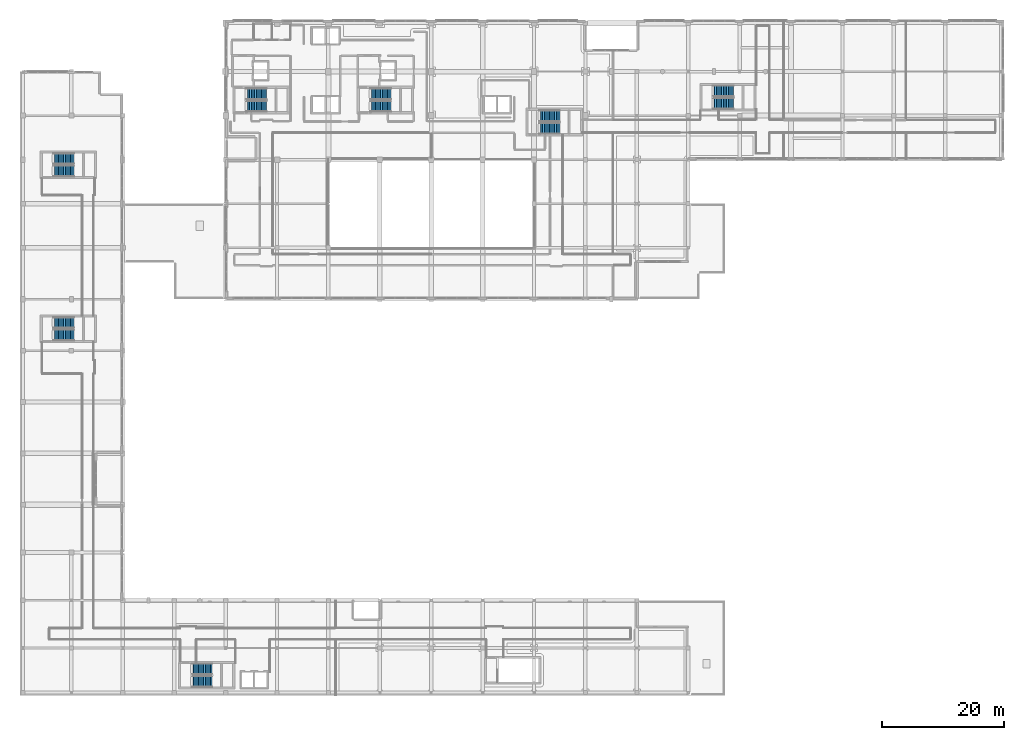
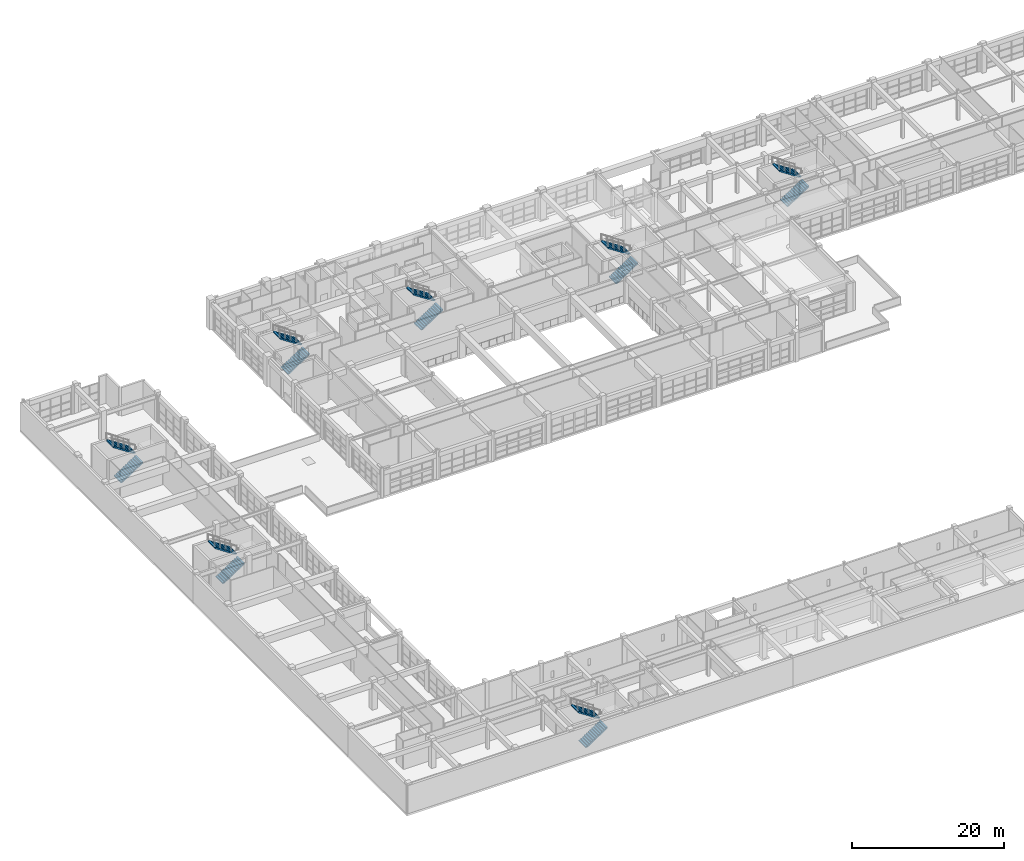
# One storey, part 112 of 123: 14 stair flights, 7 elements without a shape of their own.
"""IFC4 building model written with IfcOpenShell, lengths in metres."""

from ifc_helpers import new_model, si_unit, direction, frame, origin, place, context, subcontext, project, spatial, polyline, outline, extrude, material, type_object, element, aggregate, save


model = new_model("IFC4")

# Units and contexts
model_context = context("Model", 3, precision=1e-05, world=origin(), true_north=direction((0.0, 1.0)))
body_context = subcontext(model_context, "Body", "Model", "MODEL_VIEW")
ifc_project = project(units=[si_unit("LENGTHUNIT", "METRE"), si_unit("AREAUNIT", "SQUARE_METRE"), si_unit("VOLUMEUNIT", "CUBIC_METRE"), si_unit("PLANEANGLEUNIT", "RADIAN"), si_unit("MASSUNIT", "GRAM", prefix="KILO")], contexts=[model_context])

# Site, building, storey
site_placement = place(None, origin())
site = spatial("IfcSite", under=ifc_project, at=site_placement, CompositionType="ELEMENT")
building_placement = place(site_placement, origin())
building = spatial("IfcBuilding", under=site, at=building_placement, Name="Quendrovan Civic Courthouse", CompositionType="ELEMENT")
storey_placement = place(building_placement, frame((0.0, 0.0, 5.39990234375)))
storey = spatial("IfcBuildingStorey", under=building, at=storey_placement, Name="L02", CompositionType="ELEMENT", Elevation=5.39990234375)

# Stair, stair flights
ifc_material_1 = material(Name="Concrete C40/50", Category="concrete")
stair_type_1 = type_object("IfcStairType", Name="STR-CORE-4800", PredefinedType="HALF_TURN_STAIR", material=ifc_material_1)
stair_1_placement = place(storey_placement, origin())
stair_1 = element("IfcStair", 1, at=stair_1_placement, inside=storey, type_object=stair_type_1, Name="L02 West Judicial and Public Exit Stair 1", PredefinedType="HALF_TURN_STAIR")
stair_flight_type_1 = type_object("IfcStairFlightType", Name="FLT-CORE-4800", PredefinedType="STRAIGHT", material=ifc_material_1)
stair_flight_1_placement = place(storey_placement, frame((36.949951171875, 96.324951171875, 0.0), z_axis=(0.0, 0.0, 1.0), x_axis=(1.0, 0.0, 0.0)))
stair_flight_1 = element("IfcStairFlight", 2, at=stair_flight_1_placement, type_object=stair_flight_type_1, Name="ST1 flight 1", NumberOfRisers=13, NumberOfTreads=12, PredefinedType="STRAIGHT", RiserHeight=0.184615385, TreadLength=0.28, context=body_context, shape_type="SweptSolid", body=[
    extrude(outline(polyline([(0.0, 0.0), (0.0, 0.1845703125), (0.280029296875, 0.1845703125), (0.280029296875, 0.369140625), (0.56005859375, 0.369140625), (0.56005859375, 0.553955078125), (0.840087890625, 0.553955078125), (0.840087890625, 0.738525390625), (1.1201171875, 0.738525390625), (1.1201171875, 0.923095703125), (1.39990234375, 0.923095703125), (1.39990234375, 1.107666015625), (1.679931640625, 1.107666015625), (1.679931640625, 1.292236328125), (1.9599609375, 1.292236328125), (1.9599609375, 1.476806640625), (2.239990234375, 1.476806640625), (2.239990234375, 1.66162109375), (2.52001953125, 1.66162109375), (2.52001953125, 1.84619140625), (2.800048828125, 1.84619140625), (2.800048828125, 2.03076171875), (3.080078125, 2.03076171875), (3.080078125, 2.21533203125), (3.360107421875, 2.21533203125), (3.360107421875, 2.39990234375), (3.360107421875, 2.035888671875), (0.272216796875, 0.0), (0.0, 0.0)])), frame((0.0, 0.925048828125, 0.0), z_axis=(0.0, -1.0, 0.0), x_axis=(1.0, 0.0, 0.0)), (0.0, 0.0, 1.0), 1.85009765625),
])
stair_flight_2_placement = place(storey_placement, frame((40.31005859375, 98.35498046875, 2.400146484375), z_axis=(0.0, 0.0, 1.0), x_axis=(-1.0, 0.0, 0.0)))
stair_flight_2 = element("IfcStairFlight", 3, at=stair_flight_2_placement, type_object=stair_flight_type_1, Name="ST1 flight 2", NumberOfRisers=13, NumberOfTreads=12, PredefinedType="STRAIGHT", RiserHeight=0.184615385, TreadLength=0.28, context=body_context, shape_type="SweptSolid", body=[
    extrude(outline(polyline([(0.0, 0.0), (0.0, 0.1845703125), (0.280029296875, 0.1845703125), (0.280029296875, 0.369140625), (0.56005859375, 0.369140625), (0.56005859375, 0.553955078125), (0.840087890625, 0.553955078125), (0.840087890625, 0.738525390625), (1.1201171875, 0.738525390625), (1.1201171875, 0.923095703125), (1.39990234375, 0.923095703125), (1.39990234375, 1.107666015625), (1.679931640625, 1.107666015625), (1.679931640625, 1.292236328125), (1.9599609375, 1.292236328125), (1.9599609375, 1.476806640625), (2.239990234375, 1.476806640625), (2.239990234375, 1.66162109375), (2.52001953125, 1.66162109375), (2.52001953125, 1.84619140625), (2.800048828125, 1.84619140625), (2.800048828125, 2.03076171875), (3.080078125, 2.03076171875), (3.080078125, 2.21533203125), (3.360107421875, 2.21533203125), (3.360107421875, 2.39990234375), (3.360107421875, 2.035888671875), (0.272216796875, 0.0), (0.0, 0.0)])), frame((0.0, 0.925048828125, 0.0), z_axis=(0.0, -1.0, 0.0), x_axis=(1.0, 0.0, 0.0)), (0.0, 0.0, 1.0), 1.85009765625),
])
aggregate(stair_1, [stair_flight_1, stair_flight_2])

stair_2_placement = place(storey_placement, origin())
stair_2 = element("IfcStair", 4, at=stair_2_placement, inside=storey, type_object=stair_type_1, Name="L02 Central Judicial and Firefighting Exit Stair 2", PredefinedType="HALF_TURN_STAIR")
stair_flight_3_placement = place(storey_placement, frame((57.25, 96.324951171875, 0.0), z_axis=(0.0, 0.0, 1.0), x_axis=(1.0, 0.0, 0.0)))
stair_flight_3 = element("IfcStairFlight", 5, at=stair_flight_3_placement, type_object=stair_flight_type_1, Name="ST2 flight 1", NumberOfRisers=13, NumberOfTreads=12, PredefinedType="STRAIGHT", RiserHeight=0.184615385, TreadLength=0.28, context=body_context, shape_type="SweptSolid", body=[
    extrude(outline(polyline([(0.0, 0.0), (0.0, 0.1845703125), (0.280029296875, 0.1845703125), (0.280029296875, 0.369140625), (0.56005859375, 0.369140625), (0.56005859375, 0.553955078125), (0.840087890625, 0.553955078125), (0.840087890625, 0.738525390625), (1.1201171875, 0.738525390625), (1.1201171875, 0.923095703125), (1.39990234375, 0.923095703125), (1.39990234375, 1.107666015625), (1.679931640625, 1.107666015625), (1.679931640625, 1.292236328125), (1.9599609375, 1.292236328125), (1.9599609375, 1.476806640625), (2.239990234375, 1.476806640625), (2.239990234375, 1.66162109375), (2.52001953125, 1.66162109375), (2.52001953125, 1.84619140625), (2.800048828125, 1.84619140625), (2.800048828125, 2.03076171875), (3.080078125, 2.03076171875), (3.080078125, 2.21533203125), (3.360107421875, 2.21533203125), (3.360107421875, 2.39990234375), (3.360107421875, 2.035888671875), (0.272216796875, 0.0), (0.0, 0.0)])), frame((0.0, 0.925048828125, 0.0), z_axis=(0.0, -1.0, 0.0), x_axis=(1.0, 0.0, 0.0)), (0.0, 0.0, 1.0), 1.85009765625),
])
stair_flight_4_placement = place(storey_placement, frame((60.610107421875, 98.35498046875, 2.400146484375), z_axis=(0.0, 0.0, 1.0), x_axis=(-1.0, 0.0, 0.0)))
stair_flight_4 = element("IfcStairFlight", 6, at=stair_flight_4_placement, type_object=stair_flight_type_1, Name="ST2 flight 2", NumberOfRisers=13, NumberOfTreads=12, PredefinedType="STRAIGHT", RiserHeight=0.184615385, TreadLength=0.28, context=body_context, shape_type="SweptSolid", body=[
    extrude(outline(polyline([(0.0, 0.0), (0.0, 0.1845703125), (0.280029296875, 0.1845703125), (0.280029296875, 0.369140625), (0.56005859375, 0.369140625), (0.56005859375, 0.553955078125), (0.840087890625, 0.553955078125), (0.840087890625, 0.738525390625), (1.1201171875, 0.738525390625), (1.1201171875, 0.923095703125), (1.39990234375, 0.923095703125), (1.39990234375, 1.107666015625), (1.679931640625, 1.107666015625), (1.679931640625, 1.292236328125), (1.9599609375, 1.292236328125), (1.9599609375, 1.476806640625), (2.239990234375, 1.476806640625), (2.239990234375, 1.66162109375), (2.52001953125, 1.66162109375), (2.52001953125, 1.84619140625), (2.800048828125, 1.84619140625), (2.800048828125, 2.03076171875), (3.080078125, 2.03076171875), (3.080078125, 2.21533203125), (3.360107421875, 2.21533203125), (3.360107421875, 2.39990234375), (3.360107421875, 2.035888671875), (0.272216796875, 0.0), (0.0, 0.0)])), frame((0.0, 0.925048828125, 0.0), z_axis=(0.0, -1.0, 0.0), x_axis=(1.0, 0.0, 0.0)), (0.0, 0.0, 1.0), 1.85009765625),
])
aggregate(stair_2, [stair_flight_3, stair_flight_4])

stair_3_placement = place(storey_placement, origin())
stair_3 = element("IfcStair", 7, at=stair_3_placement, inside=storey, type_object=stair_type_1, Name="L02 East Court Block Exit Stair 3", PredefinedType="HALF_TURN_STAIR")
stair_flight_5_placement = place(storey_placement, frame((84.85009765625, 92.72509765625, 0.0), z_axis=(0.0, 0.0, 1.0), x_axis=(1.0, 0.0, 0.0)))
stair_flight_5 = element("IfcStairFlight", 8, at=stair_flight_5_placement, type_object=stair_flight_type_1, Name="ST3 flight 1", NumberOfRisers=13, NumberOfTreads=12, PredefinedType="STRAIGHT", RiserHeight=0.184615385, TreadLength=0.28, context=body_context, shape_type="SweptSolid", body=[
    extrude(outline(polyline([(0.0, 0.0), (0.0, 0.1845703125), (0.280029296875, 0.1845703125), (0.280029296875, 0.369140625), (0.56005859375, 0.369140625), (0.56005859375, 0.553955078125), (0.840087890625, 0.553955078125), (0.840087890625, 0.738525390625), (1.1201171875, 0.738525390625), (1.1201171875, 0.923095703125), (1.39990234375, 0.923095703125), (1.39990234375, 1.107666015625), (1.679931640625, 1.107666015625), (1.679931640625, 1.292236328125), (1.9599609375, 1.292236328125), (1.9599609375, 1.476806640625), (2.239990234375, 1.476806640625), (2.239990234375, 1.66162109375), (2.52001953125, 1.66162109375), (2.52001953125, 1.84619140625), (2.800048828125, 1.84619140625), (2.800048828125, 2.03076171875), (3.080078125, 2.03076171875), (3.080078125, 2.21533203125), (3.360107421875, 2.21533203125), (3.360107421875, 2.39990234375), (3.360107421875, 2.035888671875), (0.272216796875, 0.0), (0.0, 0.0)])), frame((0.0, 0.925048828125, 0.0), z_axis=(0.0, -1.0, 0.0), x_axis=(1.0, 0.0, 0.0)), (0.0, 0.0, 1.0), 1.85009765625),
])
stair_flight_6_placement = place(storey_placement, frame((88.2099609375, 94.7548828125, 2.400146484375), z_axis=(0.0, 0.0, 1.0), x_axis=(-1.0, 0.0, 0.0)))
stair_flight_6 = element("IfcStairFlight", 9, at=stair_flight_6_placement, type_object=stair_flight_type_1, Name="ST3 flight 2", NumberOfRisers=13, NumberOfTreads=12, PredefinedType="STRAIGHT", RiserHeight=0.184615385, TreadLength=0.28, context=body_context, shape_type="SweptSolid", body=[
    extrude(outline(polyline([(0.0, 0.0), (0.0, 0.1845703125), (0.280029296875, 0.1845703125), (0.280029296875, 0.369140625), (0.56005859375, 0.369140625), (0.56005859375, 0.553955078125), (0.840087890625, 0.553955078125), (0.840087890625, 0.738525390625), (1.1201171875, 0.738525390625), (1.1201171875, 0.923095703125), (1.39990234375, 0.923095703125), (1.39990234375, 1.107666015625), (1.679931640625, 1.107666015625), (1.679931640625, 1.292236328125), (1.9599609375, 1.292236328125), (1.9599609375, 1.476806640625), (2.239990234375, 1.476806640625), (2.239990234375, 1.66162109375), (2.52001953125, 1.66162109375), (2.52001953125, 1.84619140625), (2.800048828125, 1.84619140625), (2.800048828125, 2.03076171875), (3.080078125, 2.03076171875), (3.080078125, 2.21533203125), (3.360107421875, 2.21533203125), (3.360107421875, 2.39990234375), (3.360107421875, 2.035888671875), (0.272216796875, 0.0), (0.0, 0.0)])), frame((0.0, 0.925048828125, 0.0), z_axis=(0.0, -1.0, 0.0), x_axis=(1.0, 0.0, 0.0)), (0.0, 0.0, 1.0), 1.85009765625),
])
aggregate(stair_3, [stair_flight_5, stair_flight_6])

stair_4_placement = place(storey_placement, origin())
stair_4 = element("IfcStair", 10, at=stair_4_placement, inside=storey, type_object=stair_type_1, Name="L02 Law Library Wing Exit Stair 4", PredefinedType="HALF_TURN_STAIR")
stair_flight_7_placement = place(storey_placement, frame((5.449951171875, 58.925048828125, 0.0), z_axis=(0.0, 0.0, 1.0), x_axis=(1.0, 0.0, 0.0)))
stair_flight_7 = element("IfcStairFlight", 11, at=stair_flight_7_placement, type_object=stair_flight_type_1, Name="ST4 flight 1", NumberOfRisers=13, NumberOfTreads=12, PredefinedType="STRAIGHT", RiserHeight=0.184615385, TreadLength=0.28, context=body_context, shape_type="SweptSolid", body=[
    extrude(outline(polyline([(0.0, 0.0), (0.0, 0.1845703125), (0.280029296875, 0.1845703125), (0.280029296875, 0.369140625), (0.56005859375, 0.369140625), (0.56005859375, 0.553955078125), (0.840087890625, 0.553955078125), (0.840087890625, 0.738525390625), (1.1201171875, 0.738525390625), (1.1201171875, 0.923095703125), (1.39990234375, 0.923095703125), (1.39990234375, 1.107666015625), (1.679931640625, 1.107666015625), (1.679931640625, 1.292236328125), (1.9599609375, 1.292236328125), (1.9599609375, 1.476806640625), (2.239990234375, 1.476806640625), (2.239990234375, 1.66162109375), (2.52001953125, 1.66162109375), (2.52001953125, 1.84619140625), (2.800048828125, 1.84619140625), (2.800048828125, 2.03076171875), (3.080078125, 2.03076171875), (3.080078125, 2.21533203125), (3.360107421875, 2.21533203125), (3.360107421875, 2.39990234375), (3.360107421875, 2.035888671875), (0.272216796875, 0.0), (0.0, 0.0)])), frame((0.0, 0.925048828125, 0.0), z_axis=(0.0, -1.0, 0.0), x_axis=(1.0, 0.0, 0.0)), (0.0, 0.0, 1.0), 1.85009765625),
])
stair_flight_8_placement = place(storey_placement, frame((8.81005859375, 60.955078125, 2.400146484375), z_axis=(0.0, 0.0, 1.0), x_axis=(-1.0, 0.0, 0.0)))
stair_flight_8 = element("IfcStairFlight", 12, at=stair_flight_8_placement, type_object=stair_flight_type_1, Name="ST4 flight 2", NumberOfRisers=13, NumberOfTreads=12, PredefinedType="STRAIGHT", RiserHeight=0.184615385, TreadLength=0.28, context=body_context, shape_type="SweptSolid", body=[
    extrude(outline(polyline([(0.0, 0.0), (0.0, 0.1845703125), (0.280029296875, 0.1845703125), (0.280029296875, 0.369140625), (0.56005859375, 0.369140625), (0.56005859375, 0.553955078125), (0.840087890625, 0.553955078125), (0.840087890625, 0.738525390625), (1.1201171875, 0.738525390625), (1.1201171875, 0.923095703125), (1.39990234375, 0.923095703125), (1.39990234375, 1.107666015625), (1.679931640625, 1.107666015625), (1.679931640625, 1.292236328125), (1.9599609375, 1.292236328125), (1.9599609375, 1.476806640625), (2.239990234375, 1.476806640625), (2.239990234375, 1.66162109375), (2.52001953125, 1.66162109375), (2.52001953125, 1.84619140625), (2.800048828125, 1.84619140625), (2.800048828125, 2.03076171875), (3.080078125, 2.03076171875), (3.080078125, 2.21533203125), (3.360107421875, 2.21533203125), (3.360107421875, 2.39990234375), (3.360107421875, 2.035888671875), (0.272216796875, 0.0), (0.0, 0.0)])), frame((0.0, 0.925048828125, 0.0), z_axis=(0.0, -1.0, 0.0), x_axis=(1.0, 0.0, 0.0)), (0.0, 0.0, 1.0), 1.85009765625),
])
aggregate(stair_4, [stair_flight_7, stair_flight_8])

stair_5_placement = place(storey_placement, origin())
stair_5 = element("IfcStair", 13, at=stair_5_placement, inside=storey, type_object=stair_type_1, Name="L02 Custody Wing Secure Exit Stair 5", PredefinedType="HALF_TURN_STAIR")
stair_flight_9_placement = place(storey_placement, frame((28.050048828125, 2.324951171875, 0.0), z_axis=(0.0, 0.0, 1.0), x_axis=(1.0, 0.0, 0.0)))
stair_flight_9 = element("IfcStairFlight", 14, at=stair_flight_9_placement, type_object=stair_flight_type_1, Name="ST5 flight 1", NumberOfRisers=13, NumberOfTreads=12, PredefinedType="STRAIGHT", RiserHeight=0.184615385, TreadLength=0.28, context=body_context, shape_type="SweptSolid", body=[
    extrude(outline(polyline([(0.0, 0.0), (0.0, 0.1845703125), (0.280029296875, 0.1845703125), (0.280029296875, 0.369140625), (0.56005859375, 0.369140625), (0.56005859375, 0.553955078125), (0.840087890625, 0.553955078125), (0.840087890625, 0.738525390625), (1.1201171875, 0.738525390625), (1.1201171875, 0.923095703125), (1.39990234375, 0.923095703125), (1.39990234375, 1.107666015625), (1.679931640625, 1.107666015625), (1.679931640625, 1.292236328125), (1.9599609375, 1.292236328125), (1.9599609375, 1.476806640625), (2.239990234375, 1.476806640625), (2.239990234375, 1.66162109375), (2.52001953125, 1.66162109375), (2.52001953125, 1.84619140625), (2.800048828125, 1.84619140625), (2.800048828125, 2.03076171875), (3.080078125, 2.03076171875), (3.080078125, 2.21533203125), (3.360107421875, 2.21533203125), (3.360107421875, 2.39990234375), (3.360107421875, 2.035888671875), (0.272216796875, 0.0), (0.0, 0.0)])), frame((0.0, 0.925048828125, 0.0), z_axis=(0.0, -1.0, 0.0), x_axis=(1.0, 0.0, 0.0)), (0.0, 0.0, 1.0), 1.85009765625),
])
stair_flight_10_placement = place(storey_placement, frame((31.409912109375, 4.35498046875, 2.400146484375), z_axis=(0.0, 0.0, 1.0), x_axis=(-1.0, 0.0, 0.0)))
stair_flight_10 = element("IfcStairFlight", 15, at=stair_flight_10_placement, type_object=stair_flight_type_1, Name="ST5 flight 2", NumberOfRisers=13, NumberOfTreads=12, PredefinedType="STRAIGHT", RiserHeight=0.184615385, TreadLength=0.28, context=body_context, shape_type="SweptSolid", body=[
    extrude(outline(polyline([(0.0, 0.0), (0.0, 0.1845703125), (0.280029296875, 0.1845703125), (0.280029296875, 0.369140625), (0.56005859375, 0.369140625), (0.56005859375, 0.553955078125), (0.840087890625, 0.553955078125), (0.840087890625, 0.738525390625), (1.1201171875, 0.738525390625), (1.1201171875, 0.923095703125), (1.39990234375, 0.923095703125), (1.39990234375, 1.107666015625), (1.679931640625, 1.107666015625), (1.679931640625, 1.292236328125), (1.9599609375, 1.292236328125), (1.9599609375, 1.476806640625), (2.239990234375, 1.476806640625), (2.239990234375, 1.66162109375), (2.52001953125, 1.66162109375), (2.52001953125, 1.84619140625), (2.800048828125, 1.84619140625), (2.800048828125, 2.03076171875), (3.080078125, 2.03076171875), (3.080078125, 2.21533203125), (3.360107421875, 2.21533203125), (3.360107421875, 2.39990234375), (3.360107421875, 2.035888671875), (0.272216796875, 0.0), (0.0, 0.0)])), frame((0.0, 0.925048828125, 0.0), z_axis=(0.0, -1.0, 0.0), x_axis=(1.0, 0.0, 0.0)), (0.0, 0.0, 1.0), 1.85009765625),
])
aggregate(stair_5, [stair_flight_9, stair_flight_10])

stair_6_placement = place(storey_placement, origin())
stair_6 = element("IfcStair", 16, at=stair_6_placement, inside=storey, type_object=stair_type_1, Name="L02 Ceremonial Pavilion Exit Stair 6", PredefinedType="HALF_TURN_STAIR")
stair_flight_11_placement = place(storey_placement, frame((113.25, 96.77490234375, 0.0), z_axis=(0.0, 0.0, 1.0), x_axis=(1.0, 0.0, 0.0)))
stair_flight_11 = element("IfcStairFlight", 17, at=stair_flight_11_placement, type_object=stair_flight_type_1, Name="ST6 flight 1", NumberOfRisers=13, NumberOfTreads=12, PredefinedType="STRAIGHT", RiserHeight=0.184615385, TreadLength=0.28, context=body_context, shape_type="SweptSolid", body=[
    extrude(outline(polyline([(0.0, 0.0), (0.0, 0.1845703125), (0.280029296875, 0.1845703125), (0.280029296875, 0.369140625), (0.56005859375, 0.369140625), (0.56005859375, 0.553955078125), (0.840087890625, 0.553955078125), (0.840087890625, 0.738525390625), (1.1201171875, 0.738525390625), (1.1201171875, 0.923095703125), (1.39990234375, 0.923095703125), (1.39990234375, 1.107666015625), (1.679931640625, 1.107666015625), (1.679931640625, 1.292236328125), (1.9599609375, 1.292236328125), (1.9599609375, 1.476806640625), (2.239990234375, 1.476806640625), (2.239990234375, 1.66162109375), (2.52001953125, 1.66162109375), (2.52001953125, 1.84619140625), (2.800048828125, 1.84619140625), (2.800048828125, 2.03076171875), (3.080078125, 2.03076171875), (3.080078125, 2.21533203125), (3.360107421875, 2.21533203125), (3.360107421875, 2.39990234375), (3.360107421875, 2.035888671875), (0.272216796875, 0.0), (0.0, 0.0)])), frame((0.0, 0.925048828125, 0.0), z_axis=(0.0, -1.0, 0.0), x_axis=(1.0, 0.0, 0.0)), (0.0, 0.0, 1.0), 1.85009765625),
])
stair_flight_12_placement = place(storey_placement, frame((116.610107421875, 98.804931640625, 2.400146484375), z_axis=(0.0, 0.0, 1.0), x_axis=(-1.0, 0.0, 0.0)))
stair_flight_12 = element("IfcStairFlight", 18, at=stair_flight_12_placement, type_object=stair_flight_type_1, Name="ST6 flight 2", NumberOfRisers=13, NumberOfTreads=12, PredefinedType="STRAIGHT", RiserHeight=0.184615385, TreadLength=0.28, context=body_context, shape_type="SweptSolid", body=[
    extrude(outline(polyline([(0.0, 0.0), (0.0, 0.1845703125), (0.280029296875, 0.1845703125), (0.280029296875, 0.369140625), (0.56005859375, 0.369140625), (0.56005859375, 0.553955078125), (0.840087890625, 0.553955078125), (0.840087890625, 0.738525390625), (1.1201171875, 0.738525390625), (1.1201171875, 0.923095703125), (1.39990234375, 0.923095703125), (1.39990234375, 1.107666015625), (1.679931640625, 1.107666015625), (1.679931640625, 1.292236328125), (1.9599609375, 1.292236328125), (1.9599609375, 1.476806640625), (2.239990234375, 1.476806640625), (2.239990234375, 1.66162109375), (2.52001953125, 1.66162109375), (2.52001953125, 1.84619140625), (2.800048828125, 1.84619140625), (2.800048828125, 2.03076171875), (3.080078125, 2.03076171875), (3.080078125, 2.21533203125), (3.360107421875, 2.21533203125), (3.360107421875, 2.39990234375), (3.360107421875, 2.035888671875), (0.272216796875, 0.0), (0.0, 0.0)])), frame((0.0, 0.925048828125, 0.0), z_axis=(0.0, -1.0, 0.0), x_axis=(1.0, 0.0, 0.0)), (0.0, 0.0, 1.0), 1.85009765625),
])
aggregate(stair_6, [stair_flight_11, stair_flight_12])

ifc_material_2 = material(Name="Precast concrete C45/55", Category="concrete")
stair_type_2 = type_object("IfcStairType", Name="STR-FEAT-4800", PredefinedType="HALF_TURN_STAIR", material=ifc_material_2)
stair_7_placement = place(storey_placement, origin())
stair_7 = element("IfcStair", 19, at=stair_7_placement, inside=storey, type_object=stair_type_2, Name="L02 North-West Law Library Exit Stair 8", PredefinedType="HALF_TURN_STAIR")
stair_flight_type_2 = type_object("IfcStairFlightType", Name="FLT-FEAT-4800", PredefinedType="STRAIGHT", material=ifc_material_2)
stair_flight_13_placement = place(storey_placement, frame((5.449951171875, 85.72509765625, 0.0), z_axis=(0.0, 0.0, 1.0), x_axis=(1.0, 0.0, 0.0)))
stair_flight_13 = element("IfcStairFlight", 20, at=stair_flight_13_placement, type_object=stair_flight_type_2, Name="ST8 flight 1", NumberOfRisers=13, NumberOfTreads=12, PredefinedType="STRAIGHT", RiserHeight=0.184615385, TreadLength=0.28, context=body_context, shape_type="SweptSolid", body=[
    extrude(outline(polyline([(0.0, 0.0), (0.0, 0.1845703125), (0.280029296875, 0.1845703125), (0.280029296875, 0.369140625), (0.56005859375, 0.369140625), (0.56005859375, 0.553955078125), (0.840087890625, 0.553955078125), (0.840087890625, 0.738525390625), (1.1201171875, 0.738525390625), (1.1201171875, 0.923095703125), (1.39990234375, 0.923095703125), (1.39990234375, 1.107666015625), (1.679931640625, 1.107666015625), (1.679931640625, 1.292236328125), (1.9599609375, 1.292236328125), (1.9599609375, 1.476806640625), (2.239990234375, 1.476806640625), (2.239990234375, 1.66162109375), (2.52001953125, 1.66162109375), (2.52001953125, 1.84619140625), (2.800048828125, 1.84619140625), (2.800048828125, 2.03076171875), (3.080078125, 2.03076171875), (3.080078125, 2.21533203125), (3.360107421875, 2.21533203125), (3.360107421875, 2.39990234375), (3.360107421875, 2.035888671875), (0.272216796875, 0.0), (0.0, 0.0)])), frame((0.0, 0.925048828125, 0.0), z_axis=(0.0, -1.0, 0.0), x_axis=(1.0, 0.0, 0.0)), (0.0, 0.0, 1.0), 1.85009765625),
])
stair_flight_14_placement = place(storey_placement, frame((8.81005859375, 87.7548828125, 2.400146484375), z_axis=(0.0, 0.0, 1.0), x_axis=(-1.0, 0.0, 0.0)))
stair_flight_14 = element("IfcStairFlight", 21, at=stair_flight_14_placement, type_object=stair_flight_type_2, Name="ST8 flight 2", NumberOfRisers=13, NumberOfTreads=12, PredefinedType="STRAIGHT", RiserHeight=0.184615385, TreadLength=0.28, context=body_context, shape_type="SweptSolid", body=[
    extrude(outline(polyline([(0.0, 0.0), (0.0, 0.1845703125), (0.280029296875, 0.1845703125), (0.280029296875, 0.369140625), (0.56005859375, 0.369140625), (0.56005859375, 0.553955078125), (0.840087890625, 0.553955078125), (0.840087890625, 0.738525390625), (1.1201171875, 0.738525390625), (1.1201171875, 0.923095703125), (1.39990234375, 0.923095703125), (1.39990234375, 1.107666015625), (1.679931640625, 1.107666015625), (1.679931640625, 1.292236328125), (1.9599609375, 1.292236328125), (1.9599609375, 1.476806640625), (2.239990234375, 1.476806640625), (2.239990234375, 1.66162109375), (2.52001953125, 1.66162109375), (2.52001953125, 1.84619140625), (2.800048828125, 1.84619140625), (2.800048828125, 2.03076171875), (3.080078125, 2.03076171875), (3.080078125, 2.21533203125), (3.360107421875, 2.21533203125), (3.360107421875, 2.39990234375), (3.360107421875, 2.035888671875), (0.272216796875, 0.0), (0.0, 0.0)])), frame((0.0, 0.925048828125, 0.0), z_axis=(0.0, -1.0, 0.0), x_axis=(1.0, 0.0, 0.0)), (0.0, 0.0, 1.0), 1.85009765625),
])
aggregate(stair_7, [stair_flight_13, stair_flight_14])

save(model, "model.ifc")
